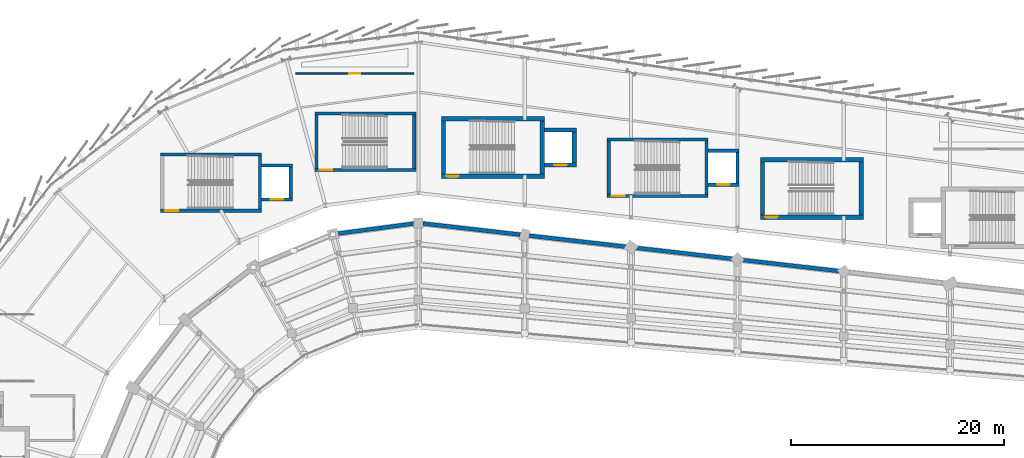
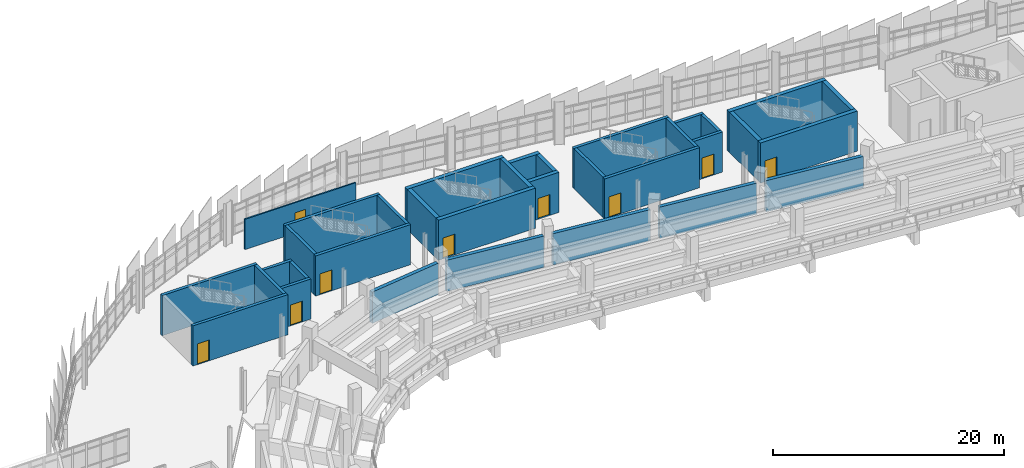
# One storey, part 102 of 120: 34 walls, 9 doors, 9 openings.
"""IFC4 building model written with IfcOpenShell, lengths in metres."""

from ifc_helpers import new_model, si_unit, direction, frame, frame_2d, origin, place, context, subcontext, project, spatial, rectangle, extrude, material, layer, layer_set, type_object, element, fill, save


model = new_model("IFC4")

# Units and contexts
model_context = context("Model", 3, precision=1e-05, world=origin(), true_north=direction((0.0, 1.0)))
body_context = subcontext(model_context, "Body", "Model", "MODEL_VIEW")
ifc_project = project(units=[si_unit("LENGTHUNIT", "METRE"), si_unit("AREAUNIT", "SQUARE_METRE"), si_unit("VOLUMEUNIT", "CUBIC_METRE"), si_unit("PLANEANGLEUNIT", "RADIAN"), si_unit("MASSUNIT", "GRAM", prefix="KILO")], contexts=[model_context])

# Site, building, storey
site_placement = place(None, origin())
site = spatial("IfcSite", under=ifc_project, at=site_placement, CompositionType="ELEMENT")
building_placement = place(site_placement, origin())
building = spatial("IfcBuilding", under=site, at=building_placement, Name="Sohan Crest Arena", CompositionType="ELEMENT")
storey_placement = place(building_placement, frame((0.0, 0.0, 13.5)))
storey = spatial("IfcBuildingStorey", under=building, at=storey_placement, Name="L03", CompositionType="ELEMENT", Elevation=13.5)

# Walls
ifc_material_1 = material(Name="Acoustic insulated bowl drum enclosure wall", Category="masonry")
ifc_layer_1 = layer(ifc_material_1, 0.3701171875, Name="Acoustic insulated bowl drum enclosure wall")
ifc_layer_set_1 = layer_set([ifc_layer_1], Name="Acoustic insulated bowl drum enclosure wall")
wall_type_1 = type_object("IfcWallType", Name="WAL-EW05", PredefinedType="SOLIDWALL", material=ifc_layer_set_1)
wall_1_placement = place(storey_placement, frame((97.56396484375, 108.943115234375, 0.0), z_axis=(0.0, 0.0, 1.0), x_axis=(-0.991432160885, -0.130622625772, 0.0)))
element("IfcWall", 1, at=wall_1_placement, inside=storey, type_object=wall_type_1, Name="Acoustic bowl drum wall BW-L03-01", PredefinedType="SOLIDWALL", context=body_context, shape_type="SweptSolid", body=[
    extrude(rectangle(XDim=7.212646484375, YDim=0.3701171875, at=frame_2d((3.6064453125, 0.0))), origin(), (0.0, 0.0, 1.0), 3.300048828125),
])
for number, where, z_axis, x_axis, name in (
    (2, (137.56298828125, 104.47900390625, 0.0), (0.0, 0.0, 1.0), (-0.993544661122, 0.113441642955, 0.0), "Acoustic bowl drum wall BW-L03-31"),
    (3, (127.56298828125, 105.62109375, 0.0), (0.0, 0.0, 1.0), (-0.993532672656, 0.113546591161, 0.0), "Acoustic bowl drum wall BW-L03-32"),
    (4, (117.56298828125, 106.763916015625, 0.0), (0.0, 0.0, 1.0), (-0.993532672656, 0.113546591161, 0.0), "Acoustic bowl drum wall BW-L03-33"),
    (5, (107.56298828125, 107.906982421875, 0.0), (0.0, 0.0, 1.0), (-0.993532672656, 0.113546591161, 0.0), "Acoustic bowl drum wall BW-L03-34"),
):
    element("IfcWall", number, at=place(storey_placement, frame(where, z_axis=z_axis, x_axis=x_axis)), inside=storey, type_object=wall_type_1, Name=name, PredefinedType="SOLIDWALL", context=body_context, shape_type="SweptSolid", body=[
        extrude(rectangle(XDim=9.185302734375, YDim=0.3701171875, at=frame_2d((4.5927734375, 0.0))), origin(), (0.0, 0.0, 1.0), 3.300048828125),
    ])

# Wall, opening, door
ifc_material_2 = material(Name="Suite acoustic stud partition", Category="masonry")
ifc_layer_2 = layer(ifc_material_2, 0.135009765625, Name="Suite acoustic stud partition")
ifc_layer_set_2 = layer_set([ifc_layer_2], Name="Suite acoustic stud partition")
wall_type_2 = type_object("IfcWallType", Name="WAL-PW02", PredefinedType="PARTITIONING", material=ifc_layer_set_2)
wall_2_placement = place(storey_placement, frame((86.449951171875, 123.0400390625, 0.0), z_axis=(0.0, 0.0, 1.0), x_axis=(1.0, 0.0, 0.0)))
wall_2 = element("IfcWall", 6, at=wall_2_placement, inside=storey, type_object=wall_type_2, Name="Interior partition wall PW-0881", PredefinedType="PARTITIONING", context=body_context, shape_type="SweptSolid", body=[
    extrude(rectangle(XDim=11.10009765625, YDim=0.135009765625, at=frame_2d((5.550048828125, 0.0))), origin(), (0.0, 0.0, 1.0), 3.219970703125),
])
opening_1_placement = place(wall_2_placement, frame((5.02490234375, 0.0, 0.0)))
opening_1 = element("IfcOpeningElement", 7, at=opening_1_placement, cuts=wall_2, Name="Opening RM-0255", PredefinedType="OPENING", context=body_context, shape_type="SweptSolid", body=[
    extrude(rectangle(XDim=1.050048828125, YDim=2.14990234375, at=frame_2d((0.52490234375, 1.074951171875))), frame((0.0, 0.077392578125, 0.0), z_axis=(0.0, -1.0, 0.0), x_axis=(1.0, 0.0, 0.0)), (0.0, 0.0, 1.0), 0.155029296875),
])
ifc_material_3 = material(Name="Fire-rated acoustic suite entrance door", Category="wood")
door_type_1 = type_object("IfcDoorType", Name="DR-FD05", OperationType="NOTDEFINED", PredefinedType="DOOR", material=ifc_material_3)
door_1_placement = place(opening_1_placement, origin())
door_1 = element("IfcDoor", 8, at=door_1_placement, inside=storey, type_object=door_type_1, Name="Hospitality Suite door RM-0255", OperationType="SINGLE_SWING_LEFT", OverallHeight=2.14990234375, OverallWidth=1.050048828125, PredefinedType="DOOR", context=body_context, shape_type="SweptSolid", body=[
    extrude(rectangle(XDim=1.050048828125, YDim=2.14990234375, at=frame_2d((0.52490234375, 1.074951171875))), frame((0.0, 0.02490234375, 0.0), z_axis=(0.0, -1.0, 0.0), x_axis=(1.0, 0.0, 0.0)), (0.0, 0.0, 1.0), 0.050048828125),
])
fill(opening_1, door_1)

# Wall
ifc_material_4 = material(Name="Concrete C40/50", Category="concrete")
ifc_layer_3 = layer(ifc_material_4, 0.300048828125, Name="Concrete C40/50")
ifc_layer_set_3 = layer_set([ifc_layer_3], Name="Concrete C40/50")
wall_type_3 = type_object("IfcWallType", Name="WAL-SW01", PredefinedType="SHEAR", material=ifc_layer_set_3)
wall_3_placement = place(storey_placement, frame((83.10009765625, 110.300048828125, 0.0), z_axis=(0.0, 0.0, 1.0), x_axis=(0.0, 1.0, 0.0)))
element("IfcWall", 9, at=wall_3_placement, inside=storey, type_object=wall_type_3, Name="Core shear wall SW-0219", PredefinedType="SHEAR", context=body_context, shape_type="SweptSolid", body=[
    extrude(rectangle(XDim=5.0, YDim=0.300048828125, at=frame_2d((2.5, 0.0))), origin(), (0.0, 0.0, 1.0), 4.25),
])

# Wall, opening, door
wall_4_placement = place(storey_placement, frame((73.75, 110.14990234375, 0.0), z_axis=(0.0, 0.0, 1.0), x_axis=(1.0, 0.0, 0.0)))
wall_4 = element("IfcWall", 10, at=wall_4_placement, inside=storey, type_object=wall_type_3, Name="Core shear wall SW-0220", PredefinedType="SHEAR", context=body_context, shape_type="SweptSolid", body=[
    extrude(rectangle(XDim=9.5, YDim=0.300048828125, at=frame_2d((4.75, 0.0))), origin(), (0.0, 0.0, 1.0), 4.25),
])
opening_2_placement = place(wall_4_placement, frame((0.449951171875, 0.0, 0.0)))
opening_2 = element("IfcOpeningElement", 11, at=opening_2_placement, cuts=wall_4, Name="Opening SD-0065", PredefinedType="OPENING", context=body_context, shape_type="SweptSolid", body=[
    extrude(rectangle(XDim=1.199951171875, YDim=2.199951171875, at=frame_2d((0.60009765625, 1.10009765625))), frame((0.0, 0.159912109375, 0.0), z_axis=(0.0, -1.0, 0.0), x_axis=(1.0, 0.0, 0.0)), (0.0, 0.0, 1.0), 0.320068359375),
])
ifc_material_5 = material(Name="Fire-rated steel stair and lobby door", Category="steel")
door_type_2 = type_object("IfcDoorType", Name="DR-FD04", OperationType="NOTDEFINED", PredefinedType="DOOR", material=ifc_material_5)
door_2_placement = place(opening_2_placement, frame((1.199951171875, 0.0, 0.0), z_axis=(0.0, 0.0, 1.0), x_axis=(-1.0, 0.0, 0.0)))
door_2 = element("IfcDoor", 12, at=door_2_placement, inside=storey, type_object=door_type_2, Name="Protected stair door SD-0065", OperationType="SINGLE_SWING_RIGHT", OverallHeight=2.199951171875, OverallWidth=1.199951171875, PredefinedType="DOOR", context=body_context, shape_type="SweptSolid", body=[
    extrude(rectangle(XDim=1.199951171875, YDim=2.199951171875, at=frame_2d((0.60009765625, 1.10009765625))), frame((0.0, 0.02490234375, 0.0), z_axis=(0.0, -1.0, 0.0), x_axis=(1.0, 0.0, 0.0)), (0.0, 0.0, 1.0), 0.050048828125),
])
fill(opening_2, door_2)

# Walls
wall_5_placement = place(storey_placement, frame((73.75, 115.449951171875, 0.0), z_axis=(0.0, 0.0, 1.0), x_axis=(1.0, 0.0, 0.0)))
element("IfcWall", 13, at=wall_5_placement, inside=storey, type_object=wall_type_3, Name="Core shear wall SW-0221", PredefinedType="SHEAR", context=body_context, shape_type="SweptSolid", body=[
    extrude(rectangle(XDim=9.5, YDim=0.300048828125, at=frame_2d((4.75, 0.0))), origin(), (0.0, 0.0, 1.0), 4.25),
])
wall_6_placement = place(storey_placement, frame((86.0, 111.35009765625, 0.0), z_axis=(0.0, 0.0, 1.0), x_axis=(0.0, 1.0, 0.0)))
element("IfcWall", 14, at=wall_6_placement, inside=storey, type_object=wall_type_3, Name="Core shear wall SW-0222", PredefinedType="SHEAR", context=body_context, shape_type="SweptSolid", body=[
    extrude(rectangle(XDim=2.89990234375, YDim=0.300048828125, at=frame_2d((1.449951171875, 0.0))), origin(), (0.0, 0.0, 1.0), 4.25),
])

# Wall, opening, door
wall_7_placement = place(storey_placement, frame((83.25, 111.199951171875, 0.0), z_axis=(0.0, 0.0, 1.0), x_axis=(1.0, 0.0, 0.0)))
wall_7 = element("IfcWall", 15, at=wall_7_placement, inside=storey, type_object=wall_type_3, Name="Core shear wall SW-0223", PredefinedType="SHEAR", context=body_context, shape_type="SweptSolid", body=[
    extrude(rectangle(XDim=2.89990234375, YDim=0.300048828125, at=frame_2d((1.449951171875, 0.0))), origin(), (0.0, 0.0, 1.0), 4.25),
])
opening_3_placement = place(wall_7_placement, frame((0.85009765625, 0.0, 0.0)))
opening_3 = element("IfcOpeningElement", 16, at=opening_3_placement, cuts=wall_7, Name="Opening LD-LP02-L03", PredefinedType="OPENING", context=body_context, shape_type="SweptSolid", body=[
    extrude(rectangle(XDim=1.199951171875, YDim=2.199951171875, at=frame_2d((0.60009765625, 1.10009765625))), frame((0.0, 0.159912109375, 0.0), z_axis=(0.0, -1.0, 0.0), x_axis=(1.0, 0.0, 0.0)), (0.0, 0.0, 1.0), 0.320068359375),
])
ifc_material_6 = material(Name="Stainless steel passenger lift landing door", Category="steel")
door_type_3 = type_object("IfcDoorType", Name="DR-LD02", OperationType="SLIDING_TO_LEFT", PredefinedType="DOOR", material=ifc_material_6)
door_3_placement = place(opening_3_placement, origin())
door_3 = element("IfcDoor", 17, at=door_3_placement, inside=storey, type_object=door_type_3, Name="Sliding lift landing door LD-LP02-L03", OperationType="SLIDING_TO_LEFT", OverallHeight=2.199951171875, OverallWidth=1.199951171875, PredefinedType="DOOR", context=body_context, shape_type="SweptSolid", body=[
    extrude(rectangle(XDim=1.199951171875, YDim=2.199951171875, at=frame_2d((0.60009765625, 1.10009765625))), frame((0.0, 0.02490234375, 0.0), z_axis=(0.0, -1.0, 0.0), x_axis=(1.0, 0.0, 0.0)), (0.0, 0.0, 1.0), 0.050048828125),
])
fill(opening_3, door_3)

# Walls
wall_8_placement = place(storey_placement, frame((83.25, 114.39990234375, 0.0), z_axis=(0.0, 0.0, 1.0), x_axis=(1.0, 0.0, 0.0)))
element("IfcWall", 18, at=wall_8_placement, inside=storey, type_object=wall_type_3, Name="Core shear wall SW-0224", PredefinedType="SHEAR", context=body_context, shape_type="SweptSolid", body=[
    extrude(rectangle(XDim=2.89990234375, YDim=0.300048828125, at=frame_2d((1.449951171875, 0.0))), origin(), (0.0, 0.0, 1.0), 4.25),
])
for number, where, z_axis, x_axis, name in (
    (19, (115.89990234375, 111.699951171875, 0.0), (0.0, 0.0, 1.0), (0.0, 1.0, 0.0), "Core shear wall SW-0395"),
    (20, (125.10009765625, 111.699951171875, 0.0), (0.0, 0.0, 1.0), (0.0, 1.0, 0.0), "Core shear wall SW-0396"),
):
    element("IfcWall", number, at=place(storey_placement, frame(where, z_axis=z_axis, x_axis=x_axis)), inside=storey, type_object=wall_type_3, Name=name, PredefinedType="SHEAR", context=body_context, shape_type="SweptSolid", body=[
        extrude(rectangle(XDim=5.0, YDim=0.300048828125, at=frame_2d((2.5, 0.0))), origin(), (0.0, 0.0, 1.0), 4.25),
    ])

# Wall, opening, door
wall_9_placement = place(storey_placement, frame((115.75, 111.550048828125, 0.0), z_axis=(0.0, 0.0, 1.0), x_axis=(1.0, 0.0, 0.0)))
wall_9 = element("IfcWall", 21, at=wall_9_placement, inside=storey, type_object=wall_type_3, Name="Core shear wall SW-0397", PredefinedType="SHEAR", context=body_context, shape_type="SweptSolid", body=[
    extrude(rectangle(XDim=9.5, YDim=0.300048828125, at=frame_2d((4.75, 0.0))), origin(), (0.0, 0.0, 1.0), 4.25),
])
opening_4_placement = place(wall_9_placement, frame((0.449951171875, 0.0, 0.0)))
opening_4 = element("IfcOpeningElement", 22, at=opening_4_placement, cuts=wall_9, Name="Opening SD-0111", PredefinedType="OPENING", context=body_context, shape_type="SweptSolid", body=[
    extrude(rectangle(XDim=1.199951171875, YDim=2.199951171875, at=frame_2d((0.60009765625, 1.10009765625))), frame((0.0, 0.159912109375, 0.0), z_axis=(0.0, -1.0, 0.0), x_axis=(1.0, 0.0, 0.0)), (0.0, 0.0, 1.0), 0.320068359375),
])
door_4_placement = place(opening_4_placement, frame((1.199951171875, 0.0, 0.0), z_axis=(0.0, 0.0, 1.0), x_axis=(-1.0, 0.0, 0.0)))
door_4 = element("IfcDoor", 23, at=door_4_placement, inside=storey, type_object=door_type_2, Name="Protected stair door SD-0111", OperationType="SINGLE_SWING_LEFT", OverallHeight=2.199951171875, OverallWidth=1.199951171875, PredefinedType="DOOR", context=body_context, shape_type="SweptSolid", body=[
    extrude(rectangle(XDim=1.199951171875, YDim=2.199951171875, at=frame_2d((0.60009765625, 1.10009765625))), frame((0.0, 0.02490234375, 0.0), z_axis=(0.0, -1.0, 0.0), x_axis=(1.0, 0.0, 0.0)), (0.0, 0.0, 1.0), 0.050048828125),
])
fill(opening_4, door_4)

# Walls
wall_10_placement = place(storey_placement, frame((115.75, 116.85009765625, 0.0), z_axis=(0.0, 0.0, 1.0), x_axis=(1.0, 0.0, 0.0)))
element("IfcWall", 24, at=wall_10_placement, inside=storey, type_object=wall_type_3, Name="Core shear wall SW-0398", PredefinedType="SHEAR", context=body_context, shape_type="SweptSolid", body=[
    extrude(rectangle(XDim=9.5, YDim=0.300048828125, at=frame_2d((4.75, 0.0))), origin(), (0.0, 0.0, 1.0), 4.25),
])
wall_11_placement = place(storey_placement, frame((128.0, 112.75, 0.0), z_axis=(0.0, 0.0, 1.0), x_axis=(0.0, 1.0, 0.0)))
element("IfcWall", 25, at=wall_11_placement, inside=storey, type_object=wall_type_3, Name="Core shear wall SW-0399", PredefinedType="SHEAR", context=body_context, shape_type="SweptSolid", body=[
    extrude(rectangle(XDim=2.89990234375, YDim=0.300048828125, at=frame_2d((1.449951171875, 0.0))), origin(), (0.0, 0.0, 1.0), 4.25),
])

# Wall, opening, door
wall_12_placement = place(storey_placement, frame((125.25, 112.60009765625, 0.0), z_axis=(0.0, 0.0, 1.0), x_axis=(1.0, 0.0, 0.0)))
wall_12 = element("IfcWall", 26, at=wall_12_placement, inside=storey, type_object=wall_type_3, Name="Core shear wall SW-0400", PredefinedType="SHEAR", context=body_context, shape_type="SweptSolid", body=[
    extrude(rectangle(XDim=2.89990234375, YDim=0.300048828125, at=frame_2d((1.449951171875, 0.0))), origin(), (0.0, 0.0, 1.0), 4.25),
])
opening_5_placement = place(wall_12_placement, frame((0.85009765625, 0.0, 0.0)))
opening_5 = element("IfcOpeningElement", 27, at=opening_5_placement, cuts=wall_12, Name="Opening LD-LP06-L03", PredefinedType="OPENING", context=body_context, shape_type="SweptSolid", body=[
    extrude(rectangle(XDim=1.199951171875, YDim=2.199951171875, at=frame_2d((0.60009765625, 1.10009765625))), frame((0.0, 0.159912109375, 0.0), z_axis=(0.0, -1.0, 0.0), x_axis=(1.0, 0.0, 0.0)), (0.0, 0.0, 1.0), 0.320068359375),
])
door_5_placement = place(opening_5_placement, origin())
door_5 = element("IfcDoor", 28, at=door_5_placement, inside=storey, type_object=door_type_3, Name="Sliding lift landing door LD-LP06-L03", OperationType="SLIDING_TO_LEFT", OverallHeight=2.199951171875, OverallWidth=1.199951171875, PredefinedType="DOOR", context=body_context, shape_type="SweptSolid", body=[
    extrude(rectangle(XDim=1.199951171875, YDim=2.199951171875, at=frame_2d((0.60009765625, 1.10009765625))), frame((0.0, 0.02490234375, 0.0), z_axis=(0.0, -1.0, 0.0), x_axis=(1.0, 0.0, 0.0)), (0.0, 0.0, 1.0), 0.050048828125),
])
fill(opening_5, door_5)

# Walls
wall_13_placement = place(storey_placement, frame((125.25, 115.800048828125, 0.0), z_axis=(0.0, 0.0, 1.0), x_axis=(1.0, 0.0, 0.0)))
element("IfcWall", 29, at=wall_13_placement, inside=storey, type_object=wall_type_3, Name="Core shear wall SW-0401", PredefinedType="SHEAR", context=body_context, shape_type="SweptSolid", body=[
    extrude(rectangle(XDim=2.89990234375, YDim=0.300048828125, at=frame_2d((1.449951171875, 0.0))), origin(), (0.0, 0.0, 1.0), 4.25),
])
for number, where, z_axis, x_axis, name in (
    (30, (88.39990234375, 114.139892578125, 0.0), (0.0, 0.0, 1.0), (0.0, 1.0, 0.0), "Core shear wall SW-0773"),
    (31, (97.60009765625, 114.139892578125, 0.0), (0.0, 0.0, 1.0), (0.0, 1.0, 0.0), "Core shear wall SW-0774"),
):
    element("IfcWall", number, at=place(storey_placement, frame(where, z_axis=z_axis, x_axis=x_axis)), inside=storey, type_object=wall_type_3, Name=name, PredefinedType="SHEAR", context=body_context, shape_type="SweptSolid", body=[
        extrude(rectangle(XDim=5.0, YDim=0.300048828125, at=frame_2d((2.5, 0.0))), origin(), (0.0, 0.0, 1.0), 4.25),
    ])

# Wall, opening, door
wall_14_placement = place(storey_placement, frame((88.25, 113.989990234375, 0.0), z_axis=(0.0, 0.0, 1.0), x_axis=(1.0, 0.0, 0.0)))
wall_14 = element("IfcWall", 32, at=wall_14_placement, inside=storey, type_object=wall_type_3, Name="Core shear wall SW-0775", PredefinedType="SHEAR", context=body_context, shape_type="SweptSolid", body=[
    extrude(rectangle(XDim=9.5, YDim=0.300048828125, at=frame_2d((4.75, 0.0))), origin(), (0.0, 0.0, 1.0), 4.25),
])
opening_6_placement = place(wall_14_placement, frame((0.449951171875, 0.0, 0.0)))
opening_6 = element("IfcOpeningElement", 33, at=opening_6_placement, cuts=wall_14, Name="Opening SD-0209", PredefinedType="OPENING", context=body_context, shape_type="SweptSolid", body=[
    extrude(rectangle(XDim=1.199951171875, YDim=2.199951171875, at=frame_2d((0.60009765625, 1.10009765625))), frame((0.0, 0.159912109375, 0.0), z_axis=(0.0, -1.0, 0.0), x_axis=(1.0, 0.0, 0.0)), (0.0, 0.0, 1.0), 0.320068359375),
])
door_6_placement = place(opening_6_placement, frame((1.199951171875, 0.0, 0.0), z_axis=(0.0, 0.0, 1.0), x_axis=(-1.0, 0.0, 0.0)))
door_6 = element("IfcDoor", 34, at=door_6_placement, inside=storey, type_object=door_type_2, Name="Protected stair door SD-0209", OperationType="SINGLE_SWING_LEFT", OverallHeight=2.199951171875, OverallWidth=1.199951171875, PredefinedType="DOOR", context=body_context, shape_type="SweptSolid", body=[
    extrude(rectangle(XDim=1.199951171875, YDim=2.199951171875, at=frame_2d((0.60009765625, 1.10009765625))), frame((0.0, 0.02490234375, 0.0), z_axis=(0.0, -1.0, 0.0), x_axis=(1.0, 0.0, 0.0)), (0.0, 0.0, 1.0), 0.050048828125),
])
fill(opening_6, door_6)

# Walls
wall_15_placement = place(storey_placement, frame((88.25, 119.2900390625, 0.0), z_axis=(0.0, 0.0, 1.0), x_axis=(1.0, 0.0, 0.0)))
element("IfcWall", 35, at=wall_15_placement, inside=storey, type_object=wall_type_3, Name="Core shear wall SW-0776", PredefinedType="SHEAR", context=body_context, shape_type="SweptSolid", body=[
    extrude(rectangle(XDim=9.5, YDim=0.300048828125, at=frame_2d((4.75, 0.0))), origin(), (0.0, 0.0, 1.0), 4.25),
])
ifc_layer_4 = layer(ifc_material_4, 0.39990234375, Name="Concrete C40/50")
ifc_layer_set_4 = layer_set([ifc_layer_4], Name="Concrete C40/50")
wall_type_4 = type_object("IfcWallType", Name="WAL-SW03", PredefinedType="SHEAR", material=ifc_layer_set_4)
for number, where, z_axis, x_axis, name in (
    (36, (100.35009765625, 113.60009765625, 0.0), (0.0, 0.0, 1.0), (0.0, 1.0, 0.0), "Core shear wall SW-0310"),
    (37, (109.64990234375, 113.60009765625, 0.0), (0.0, 0.0, 1.0), (0.0, 1.0, 0.0), "Core shear wall SW-0311"),
):
    element("IfcWall", number, at=place(storey_placement, frame(where, z_axis=z_axis, x_axis=x_axis)), inside=storey, type_object=wall_type_4, Name=name, PredefinedType="SHEAR", context=body_context, shape_type="SweptSolid", body=[
        extrude(rectangle(XDim=5.0, YDim=0.39990234375, at=frame_2d((2.5, 0.0))), origin(), (0.0, 0.0, 1.0), 4.25),
    ])

# Wall, opening, door
wall_16_placement = place(storey_placement, frame((100.14990234375, 113.39990234375, 0.0), z_axis=(0.0, 0.0, 1.0), x_axis=(1.0, 0.0, 0.0)))
wall_16 = element("IfcWall", 38, at=wall_16_placement, inside=storey, type_object=wall_type_4, Name="Core shear wall SW-0312", PredefinedType="SHEAR", context=body_context, shape_type="SweptSolid", body=[
    extrude(rectangle(XDim=9.7001953125, YDim=0.39990234375, at=frame_2d((4.85009765625, 0.0))), origin(), (0.0, 0.0, 1.0), 4.25),
])
opening_7_placement = place(wall_16_placement, frame((0.449951171875, 0.0, 0.0)))
opening_7 = element("IfcOpeningElement", 39, at=opening_7_placement, cuts=wall_16, Name="Opening SD-0089", PredefinedType="OPENING", context=body_context, shape_type="SweptSolid", body=[
    extrude(rectangle(XDim=1.199951171875, YDim=2.199951171875, at=frame_2d((0.60009765625, 1.10009765625))), frame((0.0, 0.2099609375, 0.0), z_axis=(0.0, -1.0, 0.0), x_axis=(1.0, 0.0, 0.0)), (0.0, 0.0, 1.0), 0.419921875),
])
door_7_placement = place(opening_7_placement, frame((1.199951171875, 0.0, 0.0), z_axis=(0.0, 0.0, 1.0), x_axis=(-1.0, 0.0, 0.0)))
door_7 = element("IfcDoor", 40, at=door_7_placement, inside=storey, type_object=door_type_2, Name="Protected stair door SD-0089", OperationType="SINGLE_SWING_RIGHT", OverallHeight=2.199951171875, OverallWidth=1.199951171875, PredefinedType="DOOR", context=body_context, shape_type="SweptSolid", body=[
    extrude(rectangle(XDim=1.199951171875, YDim=2.199951171875, at=frame_2d((0.60009765625, 1.10009765625))), frame((0.0, 0.02490234375, 0.0), z_axis=(0.0, -1.0, 0.0), x_axis=(1.0, 0.0, 0.0)), (0.0, 0.0, 1.0), 0.050048828125),
])
fill(opening_7, door_7)

# Walls
wall_17_placement = place(storey_placement, frame((100.14990234375, 118.800048828125, 0.0), z_axis=(0.0, 0.0, 1.0), x_axis=(1.0, 0.0, 0.0)))
element("IfcWall", 41, at=wall_17_placement, inside=storey, type_object=wall_type_4, Name="Core shear wall SW-0313", PredefinedType="SHEAR", context=body_context, shape_type="SweptSolid", body=[
    extrude(rectangle(XDim=9.7001953125, YDim=0.39990234375, at=frame_2d((4.85009765625, 0.0))), origin(), (0.0, 0.0, 1.0), 4.25),
])
wall_18_placement = place(storey_placement, frame((112.64990234375, 114.64990234375, 0.0), z_axis=(0.0, 0.0, 1.0), x_axis=(0.0, 1.0, 0.0)))
element("IfcWall", 42, at=wall_18_placement, inside=storey, type_object=wall_type_4, Name="Core shear wall SW-0314", PredefinedType="SHEAR", context=body_context, shape_type="SweptSolid", body=[
    extrude(rectangle(XDim=2.900146484375, YDim=0.39990234375, at=frame_2d((1.4501953125, 0.0))), origin(), (0.0, 0.0, 1.0), 4.25),
])

# Wall, opening, door
wall_19_placement = place(storey_placement, frame((109.85009765625, 114.449951171875, 0.0), z_axis=(0.0, 0.0, 1.0), x_axis=(1.0, 0.0, 0.0)))
wall_19 = element("IfcWall", 43, at=wall_19_placement, inside=storey, type_object=wall_type_4, Name="Core shear wall SW-0315", PredefinedType="SHEAR", context=body_context, shape_type="SweptSolid", body=[
    extrude(rectangle(XDim=3.0, YDim=0.39990234375, at=frame_2d((1.5, 0.0))), origin(), (0.0, 0.0, 1.0), 4.25),
])
opening_8_placement = place(wall_19_placement, frame((0.89990234375, 0.0, 0.0)))
opening_8 = element("IfcOpeningElement", 44, at=opening_8_placement, cuts=wall_19, Name="Opening LD-LP04-L03", PredefinedType="OPENING", context=body_context, shape_type="SweptSolid", body=[
    extrude(rectangle(XDim=1.199951171875, YDim=2.199951171875, at=frame_2d((0.60009765625, 1.10009765625))), frame((0.0, 0.2099609375, 0.0), z_axis=(0.0, -1.0, 0.0), x_axis=(1.0, 0.0, 0.0)), (0.0, 0.0, 1.0), 0.419921875),
])
door_8_placement = place(opening_8_placement, origin())
door_8 = element("IfcDoor", 45, at=door_8_placement, inside=storey, type_object=door_type_3, Name="Sliding lift landing door LD-LP04-L03", OperationType="SLIDING_TO_LEFT", OverallHeight=2.199951171875, OverallWidth=1.199951171875, PredefinedType="DOOR", context=body_context, shape_type="SweptSolid", body=[
    extrude(rectangle(XDim=1.199951171875, YDim=2.199951171875, at=frame_2d((0.60009765625, 1.10009765625))), frame((0.0, 0.02490234375, 0.0), z_axis=(0.0, -1.0, 0.0), x_axis=(1.0, 0.0, 0.0)), (0.0, 0.0, 1.0), 0.050048828125),
])
fill(opening_8, door_8)

# Walls
wall_20_placement = place(storey_placement, frame((109.85009765625, 117.75, 0.0), z_axis=(0.0, 0.0, 1.0), x_axis=(1.0, 0.0, 0.0)))
element("IfcWall", 46, at=wall_20_placement, inside=storey, type_object=wall_type_4, Name="Core shear wall SW-0316", PredefinedType="SHEAR", context=body_context, shape_type="SweptSolid", body=[
    extrude(rectangle(XDim=3.0, YDim=0.39990234375, at=frame_2d((1.5, 0.0))), origin(), (0.0, 0.0, 1.0), 4.25),
])
for number, where, z_axis, x_axis, name in (
    (47, (130.35009765625, 109.75, 0.0), (0.0, 0.0, 1.0), (0.0, 1.0, 0.0), "Core shear wall SW-0821"),
    (48, (139.64990234375, 109.75, 0.0), (0.0, 0.0, 1.0), (0.0, 1.0, 0.0), "Core shear wall SW-0822"),
):
    element("IfcWall", number, at=place(storey_placement, frame(where, z_axis=z_axis, x_axis=x_axis)), inside=storey, type_object=wall_type_4, Name=name, PredefinedType="SHEAR", context=body_context, shape_type="SweptSolid", body=[
        extrude(rectangle(XDim=5.0, YDim=0.39990234375, at=frame_2d((2.5, 0.0))), origin(), (0.0, 0.0, 1.0), 4.25),
    ])

# Wall, opening, door
wall_21_placement = place(storey_placement, frame((130.14990234375, 109.550048828125, 0.0), z_axis=(0.0, 0.0, 1.0), x_axis=(1.0, 0.0, 0.0)))
wall_21 = element("IfcWall", 49, at=wall_21_placement, inside=storey, type_object=wall_type_4, Name="Core shear wall SW-0823", PredefinedType="SHEAR", context=body_context, shape_type="SweptSolid", body=[
    extrude(rectangle(XDim=9.7001953125, YDim=0.39990234375, at=frame_2d((4.85009765625, 0.0))), origin(), (0.0, 0.0, 1.0), 4.25),
])
opening_9_placement = place(wall_21_placement, frame((0.449951171875, 0.0, 0.0)))
opening_9 = element("IfcOpeningElement", 50, at=opening_9_placement, cuts=wall_21, Name="Opening SD-0221", PredefinedType="OPENING", context=body_context, shape_type="SweptSolid", body=[
    extrude(rectangle(XDim=1.199951171875, YDim=2.199951171875, at=frame_2d((0.60009765625, 1.10009765625))), frame((0.0, 0.2099609375, 0.0), z_axis=(0.0, -1.0, 0.0), x_axis=(1.0, 0.0, 0.0)), (0.0, 0.0, 1.0), 0.419921875),
])
door_9_placement = place(opening_9_placement, frame((1.199951171875, 0.0, 0.0), z_axis=(0.0, 0.0, 1.0), x_axis=(-1.0, 0.0, 0.0)))
door_9 = element("IfcDoor", 51, at=door_9_placement, inside=storey, type_object=door_type_2, Name="Protected stair door SD-0221", OperationType="SINGLE_SWING_LEFT", OverallHeight=2.199951171875, OverallWidth=1.199951171875, PredefinedType="DOOR", context=body_context, shape_type="SweptSolid", body=[
    extrude(rectangle(XDim=1.199951171875, YDim=2.199951171875, at=frame_2d((0.60009765625, 1.10009765625))), frame((0.0, 0.02490234375, 0.0), z_axis=(0.0, -1.0, 0.0), x_axis=(1.0, 0.0, 0.0)), (0.0, 0.0, 1.0), 0.050048828125),
])
fill(opening_9, door_9)

# Wall
wall_22_placement = place(storey_placement, frame((130.14990234375, 114.949951171875, 0.0), z_axis=(0.0, 0.0, 1.0), x_axis=(1.0, 0.0, 0.0)))
element("IfcWall", 52, at=wall_22_placement, inside=storey, type_object=wall_type_4, Name="Core shear wall SW-0824", PredefinedType="SHEAR", context=body_context, shape_type="SweptSolid", body=[
    extrude(rectangle(XDim=9.7001953125, YDim=0.39990234375, at=frame_2d((4.85009765625, 0.0))), origin(), (0.0, 0.0, 1.0), 4.25),
])

save(model, "model.ifc")
